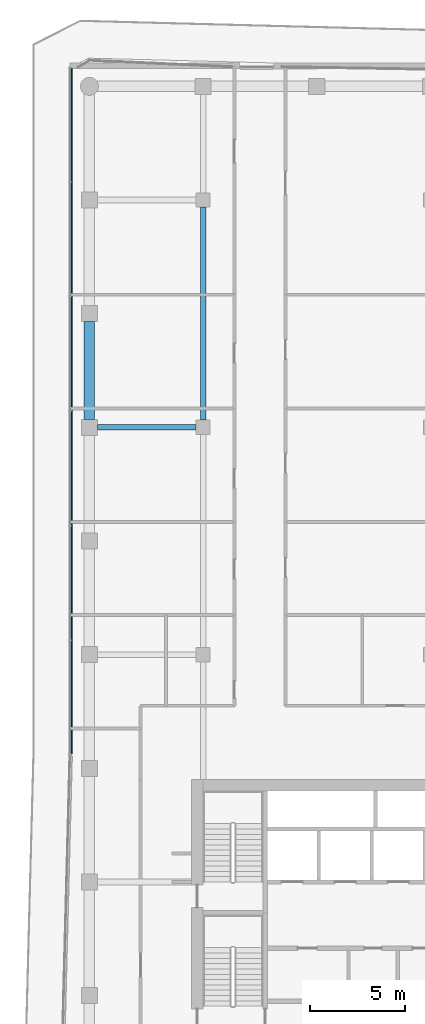
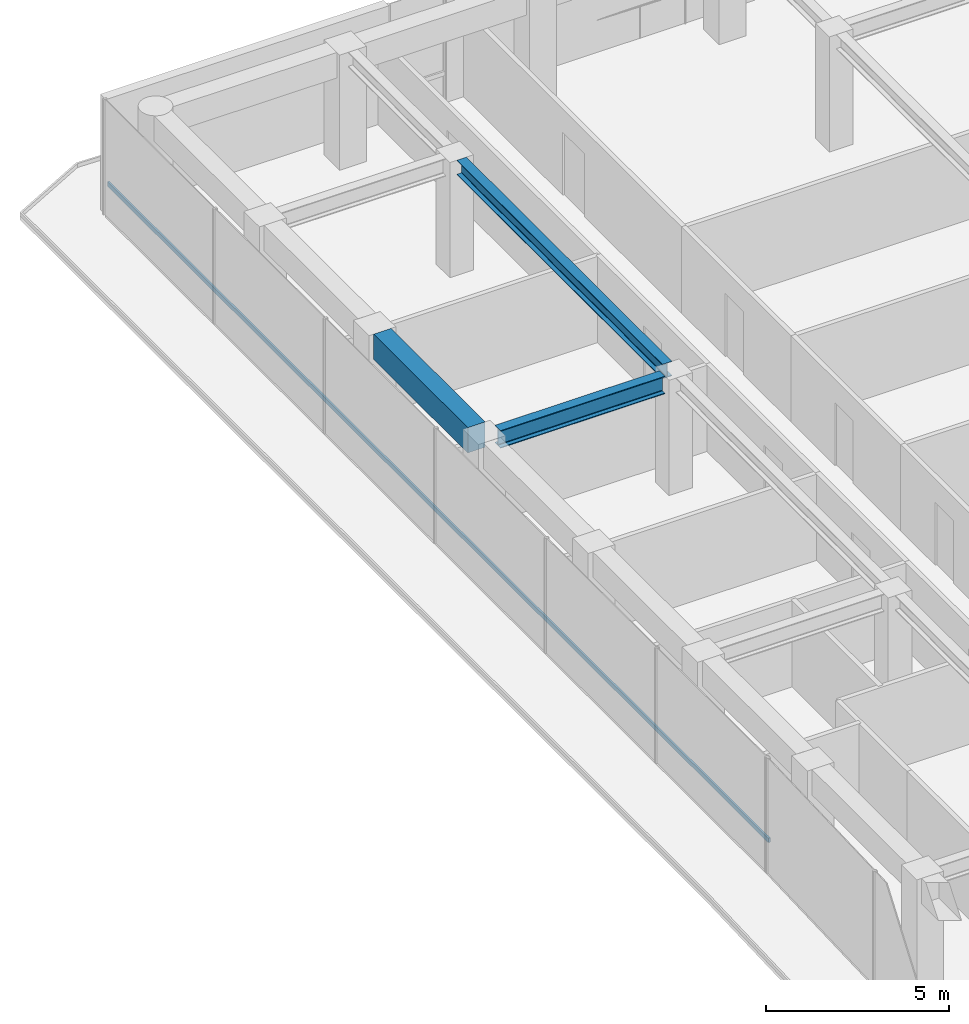
# One storey, part 10 of 19: 3 beams, 1 member, 1 element without a shape of its own.
"""IFC4 building model written with IfcOpenShell, lengths in metres."""

from ifc_helpers import new_model, si_unit, direction, frame, origin, origin_2d, place, context, subcontext, project, spatial, rectangle, i_section, extrude, material, layer, layer_set, material_profile, profile_set, type_object, element, aggregate, save


model = new_model("IFC4")

# Units and contexts
model_context = context("Model", 3, precision=1e-05, world=origin(), true_north=direction((0.0, 1.0)))
body_context = subcontext(model_context, "Body", "Model", "MODEL_VIEW")
ifc_project = project(units=[si_unit("LENGTHUNIT", "METRE"), si_unit("AREAUNIT", "SQUARE_METRE"), si_unit("VOLUMEUNIT", "CUBIC_METRE"), si_unit("PLANEANGLEUNIT", "RADIAN"), si_unit("MASSUNIT", "GRAM", prefix="KILO")], contexts=[model_context])

# Site, building, storey
site_placement = place(None, origin())
site = spatial("IfcSite", under=ifc_project, at=site_placement, CompositionType="ELEMENT")
building_placement = place(site_placement, origin())
building = spatial("IfcBuilding", under=site, at=building_placement, Name="Welwitschia Terrace Campus", CompositionType="ELEMENT")
storey_placement = place(building_placement, frame((0.0, 0.0, 163.39990234375)))
storey = spatial("IfcBuildingStorey", under=building, at=storey_placement, Name="L36", CompositionType="ELEMENT", Elevation=163.39990234375)

# Beams
ifc_material_1 = material(Name="Steel S355", Category="steel")
ifc_material_profile_1 = material_profile(ifc_material_1, i_section(OverallWidth=0.300048828125, OverallDepth=0.489990234375, WebThickness=0.011962890625, FlangeThickness=0.02294921875, FilletRadius=0.027099609375, at=origin_2d()))
ifc_profile_set_1 = profile_set([ifc_material_profile_1], Name="Steel S355")
beam_type_1 = type_object("IfcBeamType", Name="Interior girder HE 500 A", PredefinedType="BEAM", material=ifc_profile_set_1)
beam_1_placement = place(storey_placement, frame((6.0, 44.37548828125, 3.60498046875), z_axis=(0.0, 1.0, 0.0), x_axis=(-1.0, 0.0, 0.0)))
element("IfcBeam", 1, at=beam_1_placement, inside=storey, type_object=beam_type_1, Name="Girder GB4", PredefinedType="BEAM", context=body_context, shape_type="SweptSolid", body=[
    extrude(i_section(OverallWidth=0.300048828125, OverallDepth=0.489990234375, WebThickness=0.011962890625, FlangeThickness=0.02294921875, FilletRadius=0.027099609375, at=origin_2d()), origin(), (0.0, 0.0, 1.0), 11.2490234375),
])
ifc_material_2 = material(Name="Steel S355", Category="steel")
ifc_material_profile_2 = material_profile(ifc_material_2, i_section(OverallWidth=0.300048828125, OverallDepth=0.590087890625, WebThickness=0.012939453125, FlangeThickness=0.02490234375, FilletRadius=0.027099609375, at=origin_2d()))
ifc_profile_set_2 = profile_set([ifc_material_profile_2], Name="Steel S355")
beam_type_2 = type_object("IfcBeamType", Name="Primary beam HE 600 A", PredefinedType="BEAM", material=ifc_profile_set_2)
beam_2_placement = place(storey_placement, frame((0.425537109375, 44.0, 3.55517578125), z_axis=(1.0, 0.0, 0.0), x_axis=(0.0, 1.0, 0.0)))
element("IfcBeam", 2, at=beam_2_placement, inside=storey, type_object=beam_type_2, Name="Primary beam PB4", PredefinedType="BEAM", context=body_context, shape_type="SweptSolid", body=[
    extrude(i_section(OverallWidth=0.300048828125, OverallDepth=0.590087890625, WebThickness=0.012939453125, FlangeThickness=0.02490234375, FilletRadius=0.027099609375, at=origin_2d()), origin(), (0.0, 0.0, 1.0), 5.198974609375),
])
ifc_material_3 = material(Name="Concrete C50/60", Category="concrete")
ifc_material_profile_3 = material_profile(ifc_material_3, rectangle(XDim=0.550048828125, YDim=0.85009765625, at=origin_2d()))
ifc_profile_set_3 = profile_set([ifc_material_profile_3], Name="Concrete C50/60")
beam_type_3 = type_object("IfcBeamType", Name="Ring spandrel 550x850", PredefinedType="SPANDREL", material=ifc_profile_set_3)
beam_3_placement = place(storey_placement, frame((0.0, 49.574462890625, 3.425048828125), z_axis=(0.0, -1.0, 0.0), x_axis=(1.0, 0.0, 0.0)))
element("IfcBeam", 3, at=beam_3_placement, inside=storey, type_object=beam_type_3, Name="Spandrel SP3", PredefinedType="SPANDREL", context=body_context, shape_type="SweptSolid", body=[
    extrude(rectangle(XDim=0.550048828125, YDim=0.85009765625, at=origin_2d()), origin(), (0.0, 0.0, 1.0), 5.14892578125),
])

# Curtain wall, member
ifc_material_4 = material(Name="Bronze anodised aluminium", Category="aluminium")
ifc_layer = layer(ifc_material_4, 0.1201171875)
ifc_layer_set = layer_set([ifc_layer], Name="Bronze anodised aluminium")
curtain_wall_type = type_object("IfcCurtainWallType", Name="Curtain wall CW2 tower 6000", PredefinedType="NOTDEFINED", material=ifc_layer_set)
curtain_wall_placement = place(storey_placement, origin())
curtain_wall = element("IfcCurtainWall", 4, at=curtain_wall_placement, inside=storey, type_object=curtain_wall_type, Name="CW L36.0.0", PredefinedType="NOTDEFINED")
ifc_material_5 = material(Name="Bronze anodised aluminium", Category="aluminium")
ifc_material_profile_4 = material_profile(ifc_material_5, rectangle(XDim=0.06005859375, YDim=0.14990234375, at=origin_2d()))
ifc_profile_set_4 = profile_set([ifc_material_profile_4], Name="Bronze anodised aluminium")
member_type = type_object("IfcMemberType", Name="Transom 60x150", PredefinedType="USERDEFINED", material=ifc_profile_set_4)
member_placement = place(storey_placement, frame((-0.93994140625, 62.95849609375, 1.0), z_axis=(0.0, -1.0, 0.0), x_axis=(1.0, 0.0, 0.0)))
member = element("IfcMember", 5, at=member_placement, type_object=member_type, Name="Transom L36.0.0", ObjectType="TRANSOM", PredefinedType="USERDEFINED", context=body_context, shape_type="SweptSolid", body=[
    extrude(rectangle(XDim=0.06005859375, YDim=0.14990234375, at=origin_2d()), origin(), (0.0, 0.0, 1.0), 36.197265625),
])
aggregate(curtain_wall, [member])

save(model, "model.ifc")
